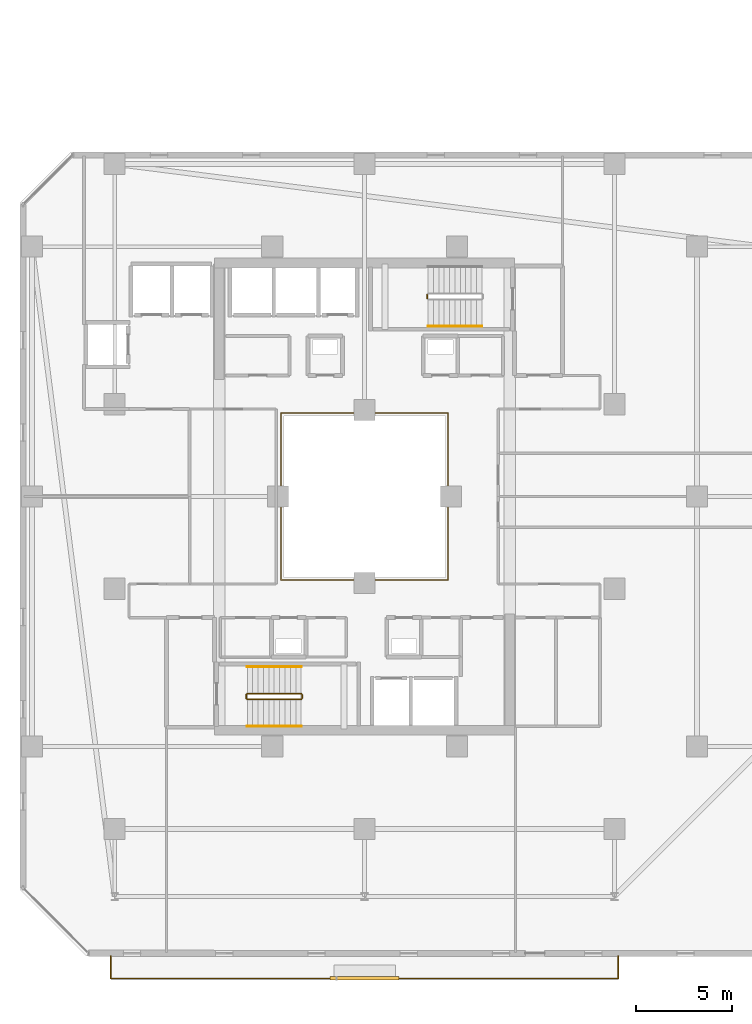
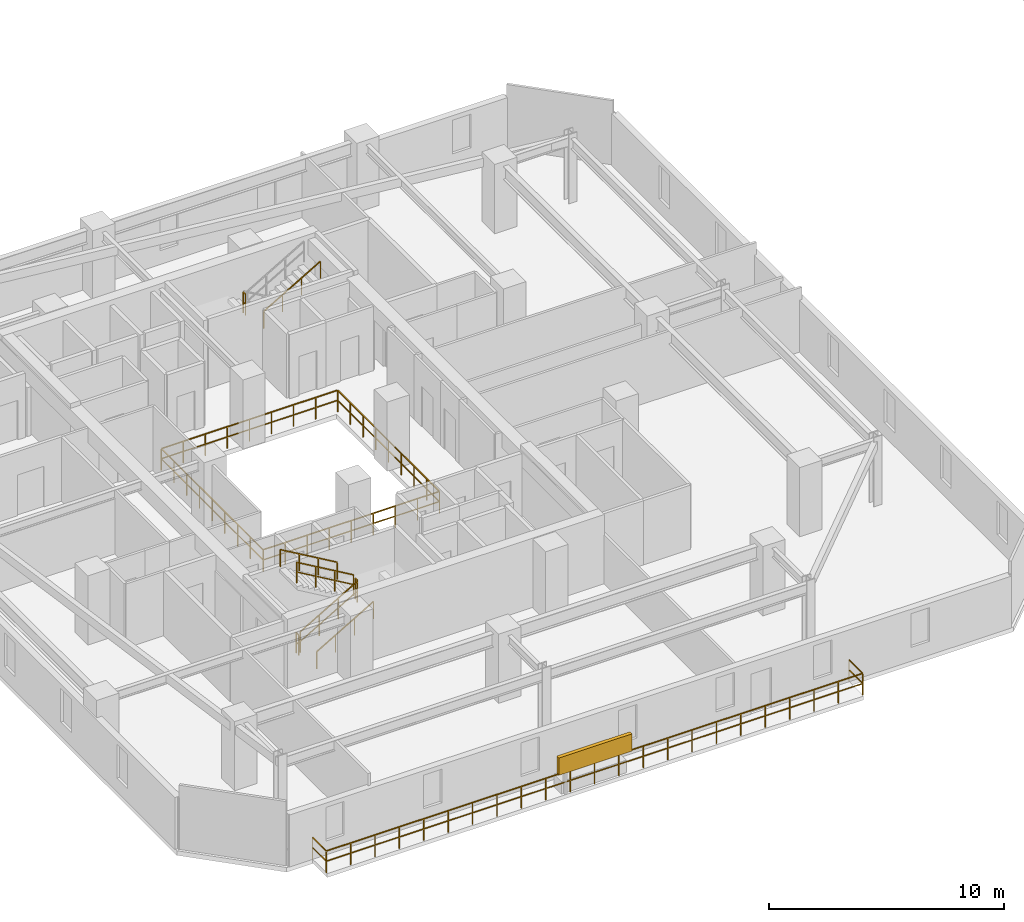
# One storey, part 30 of 33: 10 railings, 1 shading device.
"""IFC4 building model written with IfcOpenShell, lengths in metres."""

from ifc_helpers import new_model, si_unit, direction, frame, origin, origin_2d, place, context, subcontext, project, spatial, rectangle, extrude, material, type_object, element, save


model = new_model("IFC4")

# Units and contexts
model_context = context("Model", 3, precision=1e-05, world=origin(), true_north=direction((0.0, 1.0)))
body_context = subcontext(model_context, "Body", "Model", "MODEL_VIEW")
ifc_project = project(units=[si_unit("LENGTHUNIT", "METRE"), si_unit("AREAUNIT", "SQUARE_METRE"), si_unit("VOLUMEUNIT", "CUBIC_METRE"), si_unit("PLANEANGLEUNIT", "RADIAN"), si_unit("MASSUNIT", "GRAM", prefix="KILO")], contexts=[model_context])

# Site, building, storey
site_placement = place(None, origin())
site = spatial("IfcSite", under=ifc_project, at=site_placement, CompositionType="ELEMENT")
building_placement = place(site_placement, origin())
building = spatial("IfcBuilding", under=site, at=building_placement, Name="Thornwick Lancets Civic Towers", CompositionType="ELEMENT")
storey_placement = place(building_placement, frame((0.0, 0.0, 159.89990234375)))
storey = spatial("IfcBuildingStorey", under=building, at=storey_placement, Name="L42", CompositionType="ELEMENT", Elevation=159.89990234375)

# Railings
ifc_material_1 = material(Name="Laminated glass and bronze steel S355", Category="steel")
railing_type_1 = type_object("IfcRailingType", Name="RAIL_ATRIUM_GUARD", PredefinedType="BALUSTRADE", material=ifc_material_1)
railing_1_placement = place(storey_placement, frame((21.159912109375, 22.659912109375, 0.0)))
element("IfcRailing", 1, at=railing_1_placement, inside=storey, type_object=railing_type_1, Name="L42 Tower A Central Atrium Guard Balustrade", PredefinedType="BALUSTRADE", context=body_context, shape_type="SweptSolid", body=[
    extrude(rectangle(XDim=0.048095703125, YDim=0.048095703125, at=origin_2d()), frame((0.0, 0.0, 1.1259765625), z_axis=(1.0, 0.0, 0.0), x_axis=(0.0, 1.0, 0.0)), (0.0, 0.0, 1.0), 8.64892578125),
    extrude(rectangle(XDim=0.0419921875, YDim=0.0419921875, at=origin_2d()), frame((0.03759765625, 0.0, 0.597900390625), z_axis=(1.0, 0.0, 0.0), x_axis=(0.0, 1.0, 0.0)), (0.0, 0.0, 1.0), 1.010009765625),
    extrude(rectangle(XDim=0.0419921875, YDim=0.0419921875, at=origin_2d()), frame((1.12255859375, 0.0, 0.597900390625), z_axis=(1.0, 0.0, 0.0), x_axis=(0.0, 1.0, 0.0)), (0.0, 0.0, 1.0), 1.010009765625),
    extrude(rectangle(XDim=0.0419921875, YDim=0.0419921875, at=origin_2d()), frame((2.20751953125, 0.0, 0.597900390625), z_axis=(1.0, 0.0, 0.0), x_axis=(0.0, 1.0, 0.0)), (0.0, 0.0, 1.0), 1.010009765625),
    extrude(rectangle(XDim=0.0419921875, YDim=0.0419921875, at=origin_2d()), frame((3.29248046875, 0.0, 0.597900390625), z_axis=(1.0, 0.0, 0.0), x_axis=(0.0, 1.0, 0.0)), (0.0, 0.0, 1.0), 1.010009765625),
    extrude(rectangle(XDim=0.0419921875, YDim=0.0419921875, at=origin_2d()), frame((4.377685546875, 0.0, 0.597900390625), z_axis=(1.0, 0.0, 0.0), x_axis=(0.0, 1.0, 0.0)), (0.0, 0.0, 1.0), 1.010009765625),
    extrude(rectangle(XDim=0.0419921875, YDim=0.0419921875, at=origin_2d()), frame((5.462646484375, 0.0, 0.597900390625), z_axis=(1.0, 0.0, 0.0), x_axis=(0.0, 1.0, 0.0)), (0.0, 0.0, 1.0), 1.010009765625),
    extrude(rectangle(XDim=0.0419921875, YDim=0.0419921875, at=origin_2d()), frame((6.547607421875, 0.0, 0.597900390625), z_axis=(1.0, 0.0, 0.0), x_axis=(0.0, 1.0, 0.0)), (0.0, 0.0, 1.0), 1.010009765625),
    extrude(rectangle(XDim=0.0419921875, YDim=0.0419921875, at=origin_2d()), frame((7.632568359375, 0.0, 0.597900390625), z_axis=(1.0, 0.0, 0.0), x_axis=(0.0, 1.0, 0.0)), (0.0, 0.0, 1.0), 1.010009765625),
    extrude(rectangle(XDim=0.048095703125, YDim=0.048095703125, at=origin_2d()), frame((8.68017578125, 0.03125, 1.1259765625), z_axis=(0.0, 1.0, 0.0), x_axis=(-1.0, 0.0, 0.0)), (0.0, 0.0, 1.0), 8.61767578125),
    extrude(rectangle(XDim=0.0419921875, YDim=0.0419921875, at=origin_2d()), frame((8.68017578125, 0.03759765625, 0.597900390625), z_axis=(0.0, 1.0, 0.0), x_axis=(-1.0, 0.0, 0.0)), (0.0, 0.0, 1.0), 1.010009765625),
    extrude(rectangle(XDim=0.0419921875, YDim=0.0419921875, at=origin_2d()), frame((8.68017578125, 1.12255859375, 0.597900390625), z_axis=(0.0, 1.0, 0.0), x_axis=(-1.0, 0.0, 0.0)), (0.0, 0.0, 1.0), 1.010009765625),
    extrude(rectangle(XDim=0.0419921875, YDim=0.0419921875, at=origin_2d()), frame((8.68017578125, 2.20751953125, 0.597900390625), z_axis=(0.0, 1.0, 0.0), x_axis=(-1.0, 0.0, 0.0)), (0.0, 0.0, 1.0), 1.010009765625),
    extrude(rectangle(XDim=0.0419921875, YDim=0.0419921875, at=origin_2d()), frame((8.68017578125, 3.29248046875, 0.597900390625), z_axis=(0.0, 1.0, 0.0), x_axis=(-1.0, 0.0, 0.0)), (0.0, 0.0, 1.0), 1.010009765625),
    extrude(rectangle(XDim=0.0419921875, YDim=0.0419921875, at=origin_2d()), frame((8.68017578125, 4.377685546875, 0.597900390625), z_axis=(0.0, 1.0, 0.0), x_axis=(-1.0, 0.0, 0.0)), (0.0, 0.0, 1.0), 1.010009765625),
    extrude(rectangle(XDim=0.0419921875, YDim=0.0419921875, at=origin_2d()), frame((8.68017578125, 5.462646484375, 0.597900390625), z_axis=(0.0, 1.0, 0.0), x_axis=(-1.0, 0.0, 0.0)), (0.0, 0.0, 1.0), 1.010009765625),
    extrude(rectangle(XDim=0.0419921875, YDim=0.0419921875, at=origin_2d()), frame((8.68017578125, 6.547607421875, 0.597900390625), z_axis=(0.0, 1.0, 0.0), x_axis=(-1.0, 0.0, 0.0)), (0.0, 0.0, 1.0), 1.010009765625),
    extrude(rectangle(XDim=0.0419921875, YDim=0.0419921875, at=origin_2d()), frame((8.68017578125, 7.632568359375, 0.597900390625), z_axis=(0.0, 1.0, 0.0), x_axis=(-1.0, 0.0, 0.0)), (0.0, 0.0, 1.0), 1.010009765625),
    extrude(rectangle(XDim=0.048095703125, YDim=0.048095703125, at=origin_2d()), frame((8.64892578125, 8.68017578125, 1.1259765625), z_axis=(-1.0, 0.0, 0.0), x_axis=(0.0, -1.0, 0.0)), (0.0, 0.0, 1.0), 8.61767578125),
    extrude(rectangle(XDim=0.0419921875, YDim=0.0419921875, at=origin_2d()), frame((8.642578125, 8.68017578125, 0.597900390625), z_axis=(-1.0, 0.0, 0.0), x_axis=(0.0, -1.0, 0.0)), (0.0, 0.0, 1.0), 1.010009765625),
    extrude(rectangle(XDim=0.0419921875, YDim=0.0419921875, at=origin_2d()), frame((7.5576171875, 8.68017578125, 0.597900390625), z_axis=(-1.0, 0.0, 0.0), x_axis=(0.0, -1.0, 0.0)), (0.0, 0.0, 1.0), 1.010009765625),
    extrude(rectangle(XDim=0.0419921875, YDim=0.0419921875, at=origin_2d()), frame((6.47265625, 8.68017578125, 0.597900390625), z_axis=(-1.0, 0.0, 0.0), x_axis=(0.0, -1.0, 0.0)), (0.0, 0.0, 1.0), 1.010009765625),
    extrude(rectangle(XDim=0.0419921875, YDim=0.0419921875, at=origin_2d()), frame((5.3876953125, 8.68017578125, 0.597900390625), z_axis=(-1.0, 0.0, 0.0), x_axis=(0.0, -1.0, 0.0)), (0.0, 0.0, 1.0), 1.010009765625),
    extrude(rectangle(XDim=0.0419921875, YDim=0.0419921875, at=origin_2d()), frame((4.302490234375, 8.68017578125, 0.597900390625), z_axis=(-1.0, 0.0, 0.0), x_axis=(0.0, -1.0, 0.0)), (0.0, 0.0, 1.0), 1.010009765625),
    extrude(rectangle(XDim=0.0419921875, YDim=0.0419921875, at=origin_2d()), frame((3.217529296875, 8.68017578125, 0.597900390625), z_axis=(-1.0, 0.0, 0.0), x_axis=(0.0, -1.0, 0.0)), (0.0, 0.0, 1.0), 1.010009765625),
    extrude(rectangle(XDim=0.0419921875, YDim=0.0419921875, at=origin_2d()), frame((2.132568359375, 8.68017578125, 0.597900390625), z_axis=(-1.0, 0.0, 0.0), x_axis=(0.0, -1.0, 0.0)), (0.0, 0.0, 1.0), 1.010009765625),
    extrude(rectangle(XDim=0.0419921875, YDim=0.0419921875, at=origin_2d()), frame((1.047607421875, 8.68017578125, 0.597900390625), z_axis=(-1.0, 0.0, 0.0), x_axis=(0.0, -1.0, 0.0)), (0.0, 0.0, 1.0), 1.010009765625),
    extrude(rectangle(XDim=0.048095703125, YDim=0.048095703125, at=origin_2d()), frame((0.0, 8.64892578125, 1.1259765625), z_axis=(0.0, -1.0, 0.0), x_axis=(1.0, 0.0, 0.0)), (0.0, 0.0, 1.0), 8.64892578125),
    extrude(rectangle(XDim=0.0419921875, YDim=0.0419921875, at=origin_2d()), frame((0.0, 8.642578125, 0.597900390625), z_axis=(0.0, -1.0, 0.0), x_axis=(1.0, 0.0, 0.0)), (0.0, 0.0, 1.0), 1.010009765625),
    extrude(rectangle(XDim=0.0419921875, YDim=0.0419921875, at=origin_2d()), frame((0.0, 7.5576171875, 0.597900390625), z_axis=(0.0, -1.0, 0.0), x_axis=(1.0, 0.0, 0.0)), (0.0, 0.0, 1.0), 1.010009765625),
    extrude(rectangle(XDim=0.0419921875, YDim=0.0419921875, at=origin_2d()), frame((0.0, 6.47265625, 0.597900390625), z_axis=(0.0, -1.0, 0.0), x_axis=(1.0, 0.0, 0.0)), (0.0, 0.0, 1.0), 1.010009765625),
    extrude(rectangle(XDim=0.0419921875, YDim=0.0419921875, at=origin_2d()), frame((0.0, 5.3876953125, 0.597900390625), z_axis=(0.0, -1.0, 0.0), x_axis=(1.0, 0.0, 0.0)), (0.0, 0.0, 1.0), 1.010009765625),
    extrude(rectangle(XDim=0.0419921875, YDim=0.0419921875, at=origin_2d()), frame((0.0, 4.302490234375, 0.597900390625), z_axis=(0.0, -1.0, 0.0), x_axis=(1.0, 0.0, 0.0)), (0.0, 0.0, 1.0), 1.010009765625),
    extrude(rectangle(XDim=0.0419921875, YDim=0.0419921875, at=origin_2d()), frame((0.0, 3.217529296875, 0.597900390625), z_axis=(0.0, -1.0, 0.0), x_axis=(1.0, 0.0, 0.0)), (0.0, 0.0, 1.0), 1.010009765625),
    extrude(rectangle(XDim=0.0419921875, YDim=0.0419921875, at=origin_2d()), frame((0.0, 2.132568359375, 0.597900390625), z_axis=(0.0, -1.0, 0.0), x_axis=(1.0, 0.0, 0.0)), (0.0, 0.0, 1.0), 1.010009765625),
    extrude(rectangle(XDim=0.0419921875, YDim=0.0419921875, at=origin_2d()), frame((0.0, 1.047607421875, 0.597900390625), z_axis=(0.0, -1.0, 0.0), x_axis=(1.0, 0.0, 0.0)), (0.0, 0.0, 1.0), 1.010009765625),
    extrude(rectangle(XDim=0.0419921875, YDim=0.0419921875, at=origin_2d()), origin(), (0.0, 0.0, 1.0), 1.095703125),
    extrude(rectangle(XDim=0.0419921875, YDim=0.0419921875, at=origin_2d()), frame((1.0849609375, 0.0, 0.0)), (0.0, 0.0, 1.0), 1.095703125),
    extrude(rectangle(XDim=0.0419921875, YDim=0.0419921875, at=origin_2d()), frame((2.169921875, 0.0, 0.0)), (0.0, 0.0, 1.0), 1.095703125),
    extrude(rectangle(XDim=0.0419921875, YDim=0.0419921875, at=origin_2d()), frame((3.255126953125, 0.0, 0.0)), (0.0, 0.0, 1.0), 1.095703125),
    extrude(rectangle(XDim=0.0419921875, YDim=0.0419921875, at=origin_2d()), frame((4.340087890625, 0.0, 0.0)), (0.0, 0.0, 1.0), 1.095703125),
    extrude(rectangle(XDim=0.0419921875, YDim=0.0419921875, at=origin_2d()), frame((5.425048828125, 0.0, 0.0)), (0.0, 0.0, 1.0), 1.095703125),
    extrude(rectangle(XDim=0.0419921875, YDim=0.0419921875, at=origin_2d()), frame((6.51025390625, 0.0, 0.0)), (0.0, 0.0, 1.0), 1.095703125),
    extrude(rectangle(XDim=0.0419921875, YDim=0.0419921875, at=origin_2d()), frame((7.59521484375, 0.0, 0.0)), (0.0, 0.0, 1.0), 1.095703125),
    extrude(rectangle(XDim=0.0419921875, YDim=0.0419921875, at=origin_2d()), frame((8.68017578125, 0.0, 0.0)), (0.0, 0.0, 1.0), 1.095703125),
    extrude(rectangle(XDim=0.0419921875, YDim=0.0419921875, at=origin_2d()), frame((8.68017578125, 1.0849609375, 0.0)), (0.0, 0.0, 1.0), 1.095703125),
    extrude(rectangle(XDim=0.0419921875, YDim=0.0419921875, at=origin_2d()), frame((8.68017578125, 2.169921875, 0.0)), (0.0, 0.0, 1.0), 1.095703125),
    extrude(rectangle(XDim=0.0419921875, YDim=0.0419921875, at=origin_2d()), frame((8.68017578125, 3.255126953125, 0.0)), (0.0, 0.0, 1.0), 1.095703125),
    extrude(rectangle(XDim=0.0419921875, YDim=0.0419921875, at=origin_2d()), frame((8.68017578125, 4.340087890625, 0.0)), (0.0, 0.0, 1.0), 1.095703125),
    extrude(rectangle(XDim=0.0419921875, YDim=0.0419921875, at=origin_2d()), frame((8.68017578125, 5.425048828125, 0.0)), (0.0, 0.0, 1.0), 1.095703125),
    extrude(rectangle(XDim=0.0419921875, YDim=0.0419921875, at=origin_2d()), frame((8.68017578125, 6.51025390625, 0.0)), (0.0, 0.0, 1.0), 1.095703125),
    extrude(rectangle(XDim=0.0419921875, YDim=0.0419921875, at=origin_2d()), frame((8.68017578125, 7.59521484375, 0.0)), (0.0, 0.0, 1.0), 1.095703125),
    extrude(rectangle(XDim=0.0419921875, YDim=0.0419921875, at=origin_2d()), frame((8.68017578125, 8.68017578125, 0.0)), (0.0, 0.0, 1.0), 1.095703125),
    extrude(rectangle(XDim=0.0419921875, YDim=0.0419921875, at=origin_2d()), frame((7.59521484375, 8.68017578125, 0.0)), (0.0, 0.0, 1.0), 1.095703125),
    extrude(rectangle(XDim=0.0419921875, YDim=0.0419921875, at=origin_2d()), frame((6.51025390625, 8.68017578125, 0.0)), (0.0, 0.0, 1.0), 1.095703125),
    extrude(rectangle(XDim=0.0419921875, YDim=0.0419921875, at=origin_2d()), frame((5.425048828125, 8.68017578125, 0.0)), (0.0, 0.0, 1.0), 1.095703125),
    extrude(rectangle(XDim=0.0419921875, YDim=0.0419921875, at=origin_2d()), frame((4.340087890625, 8.68017578125, 0.0)), (0.0, 0.0, 1.0), 1.095703125),
    extrude(rectangle(XDim=0.0419921875, YDim=0.0419921875, at=origin_2d()), frame((3.255126953125, 8.68017578125, 0.0)), (0.0, 0.0, 1.0), 1.095703125),
    extrude(rectangle(XDim=0.0419921875, YDim=0.0419921875, at=origin_2d()), frame((2.169921875, 8.68017578125, 0.0)), (0.0, 0.0, 1.0), 1.095703125),
    extrude(rectangle(XDim=0.0419921875, YDim=0.0419921875, at=origin_2d()), frame((1.0849609375, 8.68017578125, 0.0)), (0.0, 0.0, 1.0), 1.095703125),
    extrude(rectangle(XDim=0.0419921875, YDim=0.0419921875, at=origin_2d()), frame((0.0, 8.68017578125, 0.0)), (0.0, 0.0, 1.0), 1.095703125),
    extrude(rectangle(XDim=0.0419921875, YDim=0.0419921875, at=origin_2d()), frame((0.0, 7.59521484375, 0.0)), (0.0, 0.0, 1.0), 1.095703125),
    extrude(rectangle(XDim=0.0419921875, YDim=0.0419921875, at=origin_2d()), frame((0.0, 6.51025390625, 0.0)), (0.0, 0.0, 1.0), 1.095703125),
    extrude(rectangle(XDim=0.0419921875, YDim=0.0419921875, at=origin_2d()), frame((0.0, 5.425048828125, 0.0)), (0.0, 0.0, 1.0), 1.095703125),
    extrude(rectangle(XDim=0.0419921875, YDim=0.0419921875, at=origin_2d()), frame((0.0, 4.340087890625, 0.0)), (0.0, 0.0, 1.0), 1.095703125),
    extrude(rectangle(XDim=0.0419921875, YDim=0.0419921875, at=origin_2d()), frame((0.0, 3.255126953125, 0.0)), (0.0, 0.0, 1.0), 1.095703125),
    extrude(rectangle(XDim=0.0419921875, YDim=0.0419921875, at=origin_2d()), frame((0.0, 2.169921875, 0.0)), (0.0, 0.0, 1.0), 1.095703125),
    extrude(rectangle(XDim=0.0419921875, YDim=0.0419921875, at=origin_2d()), frame((0.0, 1.0849609375, 0.0)), (0.0, 0.0, 1.0), 1.095703125),
])
ifc_material_2 = material(Name="Brushed stainless steel S355", Category="steel")
railing_type_2 = type_object("IfcRailingType", Name="RAIL_HANDRAIL", PredefinedType="HANDRAIL", material=ifc_material_2)
railing_2_placement = place(storey_placement, frame((19.39990234375, 15.050048828125, 0.163818359375)))
element("IfcRailing", 2, at=railing_2_placement, inside=storey, type_object=railing_type_2, Name="L42 ST-A1 stair handrail 1", PredefinedType="HANDRAIL", context=body_context, shape_type="SweptSolid", body=[
    extrude(rectangle(XDim=0.048095703125, YDim=0.048095703125, at=origin_2d()), frame((0.0, 0.0, 0.8857421875), z_axis=(0.863393664356, 0.0, 0.504530851732), x_axis=(0.0, 1.0, 0.0)), (0.0, 0.0, 1.0), 3.2431640625),
    extrude(rectangle(XDim=0.0419921875, YDim=0.0419921875, at=origin_2d()), origin(), (0.0, 0.0, 1.0), 0.855712890625),
    extrude(rectangle(XDim=0.0419921875, YDim=0.0419921875, at=origin_2d()), frame((0.933349609375, 0.0, 0.54541015625)), (0.0, 0.0, 1.0), 0.855712890625),
    extrude(rectangle(XDim=0.0419921875, YDim=0.0419921875, at=origin_2d()), frame((1.86669921875, 0.0, 1.0908203125)), (0.0, 0.0, 1.0), 0.855712890625),
    extrude(rectangle(XDim=0.0419921875, YDim=0.0419921875, at=origin_2d()), frame((2.800048828125, 0.0, 1.63623046875)), (0.0, 0.0, 1.0), 0.855712890625),
])
railing_3_placement = place(storey_placement, frame((22.199951171875, 18.14990234375, 1.963623046875)))
element("IfcRailing", 3, at=railing_3_placement, inside=storey, type_object=railing_type_2, Name="L42 ST-A1 stair handrail 2", PredefinedType="HANDRAIL", context=body_context, shape_type="SweptSolid", body=[
    extrude(rectangle(XDim=0.048095703125, YDim=0.048095703125, at=origin_2d()), frame((0.0, 0.0, 0.8857421875), z_axis=(-0.863360870873, 0.0, 0.504586966384), x_axis=(0.0, -1.0, 0.0)), (0.0, 0.0, 1.0), 3.2431640625),
    extrude(rectangle(XDim=0.0419921875, YDim=0.0419921875, at=origin_2d()), origin(), (0.0, 0.0, 1.0), 0.855712890625),
    extrude(rectangle(XDim=0.0419921875, YDim=0.0419921875, at=origin_2d()), frame((-0.933349609375, 0.0, 0.54541015625)), (0.0, 0.0, 1.0), 0.855712890625),
    extrude(rectangle(XDim=0.0419921875, YDim=0.0419921875, at=origin_2d()), frame((-1.86669921875, 0.0, 1.091064453125)), (0.0, 0.0, 1.0), 0.855712890625),
    extrude(rectangle(XDim=0.0419921875, YDim=0.0419921875, at=origin_2d()), frame((-2.800048828125, 0.0, 1.636474609375)), (0.0, 0.0, 1.0), 0.855712890625),
])
railing_4_placement = place(storey_placement, frame((28.800048828125, 35.85009765625, 1.963623046875)))
element("IfcRailing", 4, at=railing_4_placement, inside=storey, type_object=railing_type_2, Name="L42 ST-A2 stair handrail 2", PredefinedType="HANDRAIL", context=body_context, shape_type="SweptSolid", body=[
    extrude(rectangle(XDim=0.048095703125, YDim=0.048095703125, at=origin_2d()), frame((0.0, 0.0, 0.8857421875), z_axis=(0.863360870873, 0.0, 0.504586966384), x_axis=(0.0, 1.0, 0.0)), (0.0, 0.0, 1.0), 3.2431640625),
    extrude(rectangle(XDim=0.0419921875, YDim=0.0419921875, at=origin_2d()), origin(), (0.0, 0.0, 1.0), 0.855712890625),
    extrude(rectangle(XDim=0.0419921875, YDim=0.0419921875, at=origin_2d()), frame((0.933349609375, 0.0, 0.54541015625)), (0.0, 0.0, 1.0), 0.855712890625),
    extrude(rectangle(XDim=0.0419921875, YDim=0.0419921875, at=origin_2d()), frame((1.86669921875, 0.0, 1.091064453125)), (0.0, 0.0, 1.0), 0.855712890625),
    extrude(rectangle(XDim=0.0419921875, YDim=0.0419921875, at=origin_2d()), frame((2.800048828125, 0.0, 1.636474609375)), (0.0, 0.0, 1.0), 0.855712890625),
])
ifc_material_3 = material(Name="Steel S355JR", Category="steel")
railing_type_3 = type_object("IfcRailingType", Name="RAIL_STAIR_GUARD", PredefinedType="GUARDRAIL", material=ifc_material_3)
railing_5_placement = place(storey_placement, frame((19.39990234375, 16.449951171875, 0.163818359375)))
element("IfcRailing", 5, at=railing_5_placement, inside=storey, type_object=railing_type_3, Name="L42 ST-A1 stair guard 1", PredefinedType="GUARDRAIL", context=body_context, shape_type="SweptSolid", body=[
    extrude(rectangle(XDim=0.048095703125, YDim=0.048095703125, at=origin_2d()), frame((0.0, 0.0, 1.076171875), z_axis=(0.863393664356, 0.0, 0.504530851732), x_axis=(0.0, 1.0, 0.0)), (0.0, 0.0, 1.0), 3.2431640625),
    extrude(rectangle(XDim=0.0419921875, YDim=0.0419921875, at=origin_2d()), frame((0.032470703125, 0.0, 0.591064453125), z_axis=(0.863393664356, 0.0, 0.504530851732), x_axis=(0.0, 1.0, 0.0)), (0.0, 0.0, 1.0), 1.006103515625),
    extrude(rectangle(XDim=0.0419921875, YDim=0.0419921875, at=origin_2d()), frame((0.9658203125, 0.0, 1.136474609375), z_axis=(0.863393664356, 0.0, 0.504530851732), x_axis=(0.0, 1.0, 0.0)), (0.0, 0.0, 1.0), 1.006103515625),
    extrude(rectangle(XDim=0.0419921875, YDim=0.0419921875, at=origin_2d()), frame((1.899169921875, 0.0, 1.681884765625), z_axis=(0.863393664356, 0.0, 0.504530851732), x_axis=(0.0, 1.0, 0.0)), (0.0, 0.0, 1.0), 1.006103515625),
    extrude(rectangle(XDim=0.0419921875, YDim=0.0419921875, at=origin_2d()), origin(), (0.0, 0.0, 1.0), 1.0458984375),
    extrude(rectangle(XDim=0.0419921875, YDim=0.0419921875, at=origin_2d()), frame((0.933349609375, 0.0, 0.54541015625)), (0.0, 0.0, 1.0), 1.0458984375),
    extrude(rectangle(XDim=0.0419921875, YDim=0.0419921875, at=origin_2d()), frame((1.86669921875, 0.0, 1.0908203125)), (0.0, 0.0, 1.0), 1.0458984375),
    extrude(rectangle(XDim=0.0419921875, YDim=0.0419921875, at=origin_2d()), frame((2.800048828125, 0.0, 1.63623046875)), (0.0, 0.0, 1.0), 1.0458984375),
])
railing_6_placement = place(storey_placement, frame((22.25, 16.5, 1.800048828125)))
element("IfcRailing", 6, at=railing_6_placement, inside=storey, type_object=railing_type_3, Name="L42 ST-A1 stair guard 2", PredefinedType="GUARDRAIL", context=body_context, shape_type="SweptSolid", body=[
    extrude(rectangle(XDim=0.048095703125, YDim=0.048095703125, at=origin_2d()), frame((0.0, 0.0, 1.076171875), z_axis=(0.0, 1.0, 0.0), x_axis=(-1.0, 0.0, 0.0)), (0.0, 0.0, 1.0), 0.199951171875),
    extrude(rectangle(XDim=0.0419921875, YDim=0.0419921875, at=origin_2d()), frame((0.0, 0.03759765625, 0.572021484375), z_axis=(0.0, 1.0, 0.0), x_axis=(-1.0, 0.0, 0.0)), (0.0, 0.0, 1.0), 0.125),
    extrude(rectangle(XDim=0.0419921875, YDim=0.0419921875, at=origin_2d()), origin(), (0.0, 0.0, 1.0), 1.0458984375),
    extrude(rectangle(XDim=0.0419921875, YDim=0.0419921875, at=origin_2d()), frame((0.0, 0.199951171875, 0.0)), (0.0, 0.0, 1.0), 1.0458984375),
])
railing_7_placement = place(storey_placement, frame((22.199951171875, 16.75, 1.963623046875)))
element("IfcRailing", 7, at=railing_7_placement, inside=storey, type_object=railing_type_3, Name="L42 ST-A1 stair guard 3", PredefinedType="GUARDRAIL", context=body_context, shape_type="SweptSolid", body=[
    extrude(rectangle(XDim=0.048095703125, YDim=0.048095703125, at=origin_2d()), frame((0.0, 0.0, 1.076171875), z_axis=(-0.863360870873, 0.0, 0.504586966384), x_axis=(0.0, -1.0, 0.0)), (0.0, 0.0, 1.0), 3.2431640625),
    extrude(rectangle(XDim=0.0419921875, YDim=0.0419921875, at=origin_2d()), frame((-0.032470703125, 0.0, 0.591064453125), z_axis=(-0.863360870873, 0.0, 0.504586966384), x_axis=(0.0, -1.0, 0.0)), (0.0, 0.0, 1.0), 1.006103515625),
    extrude(rectangle(XDim=0.0419921875, YDim=0.0419921875, at=origin_2d()), frame((-0.9658203125, 0.0, 1.136474609375), z_axis=(-0.863360870873, 0.0, 0.504586966384), x_axis=(0.0, -1.0, 0.0)), (0.0, 0.0, 1.0), 1.006103515625),
    extrude(rectangle(XDim=0.0419921875, YDim=0.0419921875, at=origin_2d()), frame((-1.899169921875, 0.0, 1.681884765625), z_axis=(-0.863360870873, 0.0, 0.504586966384), x_axis=(0.0, -1.0, 0.0)), (0.0, 0.0, 1.0), 1.006103515625),
    extrude(rectangle(XDim=0.0419921875, YDim=0.0419921875, at=origin_2d()), origin(), (0.0, 0.0, 1.0), 1.0458984375),
    extrude(rectangle(XDim=0.0419921875, YDim=0.0419921875, at=origin_2d()), frame((-0.933349609375, 0.0, 0.54541015625)), (0.0, 0.0, 1.0), 1.0458984375),
    extrude(rectangle(XDim=0.0419921875, YDim=0.0419921875, at=origin_2d()), frame((-1.86669921875, 0.0, 1.091064453125)), (0.0, 0.0, 1.0), 1.0458984375),
    extrude(rectangle(XDim=0.0419921875, YDim=0.0419921875, at=origin_2d()), frame((-2.800048828125, 0.0, 1.636474609375)), (0.0, 0.0, 1.0), 1.0458984375),
])
railing_8_placement = place(storey_placement, frame((19.35009765625, 16.5, 0.0)))
element("IfcRailing", 8, at=railing_8_placement, inside=storey, type_object=railing_type_3, Name="L42 ST-A1 stair guard 4", PredefinedType="GUARDRAIL", context=body_context, shape_type="SweptSolid", body=[
    extrude(rectangle(XDim=0.048095703125, YDim=0.048095703125, at=origin_2d()), frame((0.0, 0.0, 1.076171875), z_axis=(0.0, 1.0, 0.0), x_axis=(-1.0, 0.0, 0.0)), (0.0, 0.0, 1.0), 0.199951171875),
    extrude(rectangle(XDim=0.0419921875, YDim=0.0419921875, at=origin_2d()), frame((0.0, 0.03759765625, 0.572021484375), z_axis=(0.0, 1.0, 0.0), x_axis=(-1.0, 0.0, 0.0)), (0.0, 0.0, 1.0), 0.125),
    extrude(rectangle(XDim=0.0419921875, YDim=0.0419921875, at=origin_2d()), origin(), (0.0, 0.0, 1.0), 1.0458984375),
    extrude(rectangle(XDim=0.0419921875, YDim=0.0419921875, at=origin_2d()), frame((0.0, 0.199951171875, 0.0)), (0.0, 0.0, 1.0), 1.0458984375),
])
railing_9_placement = place(storey_placement, frame((28.75, 37.5, 1.800048828125)))
element("IfcRailing", 9, at=railing_9_placement, inside=storey, type_object=railing_type_3, Name="L42 ST-A2 stair guard 2", PredefinedType="GUARDRAIL", context=body_context, shape_type="SweptSolid", body=[
    extrude(rectangle(XDim=0.048095703125, YDim=0.048095703125, at=origin_2d()), frame((0.0, 0.0, 1.076171875), z_axis=(0.0, -1.0, 0.0), x_axis=(1.0, 0.0, 0.0)), (0.0, 0.0, 1.0), 0.199951171875),
    extrude(rectangle(XDim=0.0419921875, YDim=0.0419921875, at=origin_2d()), frame((0.0, -0.03759765625, 0.572021484375), z_axis=(0.0, -1.0, 0.0), x_axis=(1.0, 0.0, 0.0)), (0.0, 0.0, 1.0), 0.125),
    extrude(rectangle(XDim=0.0419921875, YDim=0.0419921875, at=origin_2d()), origin(), (0.0, 0.0, 1.0), 1.0458984375),
    extrude(rectangle(XDim=0.0419921875, YDim=0.0419921875, at=origin_2d()), frame((0.0, -0.199951171875, 0.0)), (0.0, 0.0, 1.0), 1.0458984375),
])
ifc_material_4 = material(Name="Terracotta-capped laminated glass balustrade S355", Category="masonry")
railing_type_4 = type_object("IfcRailingType", Name="RAIL_TERR_GUARD", PredefinedType="GUARDRAIL", material=ifc_material_4)
railing_10_placement = place(storey_placement, frame((12.300048828125, 3.10009765625, 0.0)))
element("IfcRailing", 10, at=railing_10_placement, inside=storey, type_object=railing_type_4, Name="L42 Tower A Balcony Guard S", PredefinedType="GUARDRAIL", context=body_context, shape_type="SweptSolid", body=[
    extrude(rectangle(XDim=0.048095703125, YDim=0.048095703125, at=origin_2d()), frame((0.0, 0.0, 1.1259765625), z_axis=(0.0, -1.0, 0.0), x_axis=(1.0, 0.0, 0.0)), (0.0, 0.0, 1.0), 1.138916015625),
    extrude(rectangle(XDim=0.0419921875, YDim=0.0419921875, at=origin_2d()), frame((0.0, -0.03759765625, 0.597900390625), z_axis=(0.0, -1.0, 0.0), x_axis=(1.0, 0.0, 0.0)), (0.0, 0.0, 1.0), 1.09521484375),
    extrude(rectangle(XDim=0.048095703125, YDim=0.048095703125, at=origin_2d()), frame((0.03125, -1.170166015625, 1.1259765625), z_axis=(1.0, 0.0, 0.0), x_axis=(0.0, 1.0, 0.0)), (0.0, 0.0, 1.0), 26.33740234375),
    extrude(rectangle(XDim=0.0419921875, YDim=0.0419921875, at=origin_2d()), frame((0.03759765625, -1.170166015625, 0.597900390625), z_axis=(1.0, 0.0, 0.0), x_axis=(0.0, 1.0, 0.0)), (0.0, 0.0, 1.0), 1.125),
    extrude(rectangle(XDim=0.0419921875, YDim=0.0419921875, at=origin_2d()), frame((1.237548828125, -1.170166015625, 0.597900390625), z_axis=(1.0, 0.0, 0.0), x_axis=(0.0, 1.0, 0.0)), (0.0, 0.0, 1.0), 1.125),
    extrude(rectangle(XDim=0.0419921875, YDim=0.0419921875, at=origin_2d()), frame((2.4375, -1.170166015625, 0.597900390625), z_axis=(1.0, 0.0, 0.0), x_axis=(0.0, 1.0, 0.0)), (0.0, 0.0, 1.0), 1.125),
    extrude(rectangle(XDim=0.0419921875, YDim=0.0419921875, at=origin_2d()), frame((3.637451171875, -1.170166015625, 0.597900390625), z_axis=(1.0, 0.0, 0.0), x_axis=(0.0, 1.0, 0.0)), (0.0, 0.0, 1.0), 1.125),
    extrude(rectangle(XDim=0.0419921875, YDim=0.0419921875, at=origin_2d()), frame((4.83740234375, -1.170166015625, 0.597900390625), z_axis=(1.0, 0.0, 0.0), x_axis=(0.0, 1.0, 0.0)), (0.0, 0.0, 1.0), 1.125),
    extrude(rectangle(XDim=0.0419921875, YDim=0.0419921875, at=origin_2d()), frame((6.037353515625, -1.170166015625, 0.597900390625), z_axis=(1.0, 0.0, 0.0), x_axis=(0.0, 1.0, 0.0)), (0.0, 0.0, 1.0), 1.125),
    extrude(rectangle(XDim=0.0419921875, YDim=0.0419921875, at=origin_2d()), frame((7.237548828125, -1.170166015625, 0.597900390625), z_axis=(1.0, 0.0, 0.0), x_axis=(0.0, 1.0, 0.0)), (0.0, 0.0, 1.0), 1.125),
    extrude(rectangle(XDim=0.0419921875, YDim=0.0419921875, at=origin_2d()), frame((8.4375, -1.170166015625, 0.597900390625), z_axis=(1.0, 0.0, 0.0), x_axis=(0.0, 1.0, 0.0)), (0.0, 0.0, 1.0), 1.125),
    extrude(rectangle(XDim=0.0419921875, YDim=0.0419921875, at=origin_2d()), frame((9.637451171875, -1.170166015625, 0.597900390625), z_axis=(1.0, 0.0, 0.0), x_axis=(0.0, 1.0, 0.0)), (0.0, 0.0, 1.0), 1.125),
    extrude(rectangle(XDim=0.0419921875, YDim=0.0419921875, at=origin_2d()), frame((10.83740234375, -1.170166015625, 0.597900390625), z_axis=(1.0, 0.0, 0.0), x_axis=(0.0, 1.0, 0.0)), (0.0, 0.0, 1.0), 1.125),
    extrude(rectangle(XDim=0.0419921875, YDim=0.0419921875, at=origin_2d()), frame((12.037353515625, -1.170166015625, 0.597900390625), z_axis=(1.0, 0.0, 0.0), x_axis=(0.0, 1.0, 0.0)), (0.0, 0.0, 1.0), 1.125),
    extrude(rectangle(XDim=0.0419921875, YDim=0.0419921875, at=origin_2d()), frame((13.237548828125, -1.170166015625, 0.597900390625), z_axis=(1.0, 0.0, 0.0), x_axis=(0.0, 1.0, 0.0)), (0.0, 0.0, 1.0), 1.125),
    extrude(rectangle(XDim=0.0419921875, YDim=0.0419921875, at=origin_2d()), frame((14.4375, -1.170166015625, 0.597900390625), z_axis=(1.0, 0.0, 0.0), x_axis=(0.0, 1.0, 0.0)), (0.0, 0.0, 1.0), 1.125),
    extrude(rectangle(XDim=0.0419921875, YDim=0.0419921875, at=origin_2d()), frame((15.637451171875, -1.170166015625, 0.597900390625), z_axis=(1.0, 0.0, 0.0), x_axis=(0.0, 1.0, 0.0)), (0.0, 0.0, 1.0), 1.125),
    extrude(rectangle(XDim=0.0419921875, YDim=0.0419921875, at=origin_2d()), frame((16.83740234375, -1.170166015625, 0.597900390625), z_axis=(1.0, 0.0, 0.0), x_axis=(0.0, 1.0, 0.0)), (0.0, 0.0, 1.0), 1.125),
    extrude(rectangle(XDim=0.0419921875, YDim=0.0419921875, at=origin_2d()), frame((18.037353515625, -1.170166015625, 0.597900390625), z_axis=(1.0, 0.0, 0.0), x_axis=(0.0, 1.0, 0.0)), (0.0, 0.0, 1.0), 1.125),
    extrude(rectangle(XDim=0.0419921875, YDim=0.0419921875, at=origin_2d()), frame((19.2373046875, -1.170166015625, 0.597900390625), z_axis=(1.0, 0.0, 0.0), x_axis=(0.0, 1.0, 0.0)), (0.0, 0.0, 1.0), 1.125),
    extrude(rectangle(XDim=0.0419921875, YDim=0.0419921875, at=origin_2d()), frame((20.4375, -1.170166015625, 0.597900390625), z_axis=(1.0, 0.0, 0.0), x_axis=(0.0, 1.0, 0.0)), (0.0, 0.0, 1.0), 1.125),
    extrude(rectangle(XDim=0.0419921875, YDim=0.0419921875, at=origin_2d()), frame((21.637451171875, -1.170166015625, 0.597900390625), z_axis=(1.0, 0.0, 0.0), x_axis=(0.0, 1.0, 0.0)), (0.0, 0.0, 1.0), 1.125),
    extrude(rectangle(XDim=0.0419921875, YDim=0.0419921875, at=origin_2d()), frame((22.83740234375, -1.170166015625, 0.597900390625), z_axis=(1.0, 0.0, 0.0), x_axis=(0.0, 1.0, 0.0)), (0.0, 0.0, 1.0), 1.125),
    extrude(rectangle(XDim=0.0419921875, YDim=0.0419921875, at=origin_2d()), frame((24.037353515625, -1.170166015625, 0.597900390625), z_axis=(1.0, 0.0, 0.0), x_axis=(0.0, 1.0, 0.0)), (0.0, 0.0, 1.0), 1.125),
    extrude(rectangle(XDim=0.0419921875, YDim=0.0419921875, at=origin_2d()), frame((25.2373046875, -1.170166015625, 0.597900390625), z_axis=(1.0, 0.0, 0.0), x_axis=(0.0, 1.0, 0.0)), (0.0, 0.0, 1.0), 1.125),
    extrude(rectangle(XDim=0.048095703125, YDim=0.048095703125, at=origin_2d()), frame((26.39990234375, -1.138916015625, 1.1259765625), z_axis=(0.0, 1.0, 0.0), x_axis=(-1.0, 0.0, 0.0)), (0.0, 0.0, 1.0), 1.138916015625),
    extrude(rectangle(XDim=0.0419921875, YDim=0.0419921875, at=origin_2d()), frame((26.39990234375, -1.132568359375, 0.597900390625), z_axis=(0.0, 1.0, 0.0), x_axis=(-1.0, 0.0, 0.0)), (0.0, 0.0, 1.0), 1.09521484375),
    extrude(rectangle(XDim=0.0419921875, YDim=0.0419921875, at=origin_2d()), origin(), (0.0, 0.0, 1.0), 1.095703125),
    extrude(rectangle(XDim=0.0419921875, YDim=0.0419921875, at=origin_2d()), frame((0.0, -1.170166015625, 0.0)), (0.0, 0.0, 1.0), 1.095703125),
    extrude(rectangle(XDim=0.0419921875, YDim=0.0419921875, at=origin_2d()), frame((1.199951171875, -1.170166015625, 0.0)), (0.0, 0.0, 1.0), 1.095703125),
    extrude(rectangle(XDim=0.0419921875, YDim=0.0419921875, at=origin_2d()), frame((2.39990234375, -1.170166015625, 0.0)), (0.0, 0.0, 1.0), 1.095703125),
    extrude(rectangle(XDim=0.0419921875, YDim=0.0419921875, at=origin_2d()), frame((3.60009765625, -1.170166015625, 0.0)), (0.0, 0.0, 1.0), 1.095703125),
    extrude(rectangle(XDim=0.0419921875, YDim=0.0419921875, at=origin_2d()), frame((4.800048828125, -1.170166015625, 0.0)), (0.0, 0.0, 1.0), 1.095703125),
    extrude(rectangle(XDim=0.0419921875, YDim=0.0419921875, at=origin_2d()), frame((6.0, -1.170166015625, 0.0)), (0.0, 0.0, 1.0), 1.095703125),
    extrude(rectangle(XDim=0.0419921875, YDim=0.0419921875, at=origin_2d()), frame((7.199951171875, -1.170166015625, 0.0)), (0.0, 0.0, 1.0), 1.095703125),
    extrude(rectangle(XDim=0.0419921875, YDim=0.0419921875, at=origin_2d()), frame((8.39990234375, -1.170166015625, 0.0)), (0.0, 0.0, 1.0), 1.095703125),
    extrude(rectangle(XDim=0.0419921875, YDim=0.0419921875, at=origin_2d()), frame((9.599853515625, -1.170166015625, 0.0)), (0.0, 0.0, 1.0), 1.095703125),
    extrude(rectangle(XDim=0.0419921875, YDim=0.0419921875, at=origin_2d()), frame((10.800048828125, -1.170166015625, 0.0)), (0.0, 0.0, 1.0), 1.095703125),
    extrude(rectangle(XDim=0.0419921875, YDim=0.0419921875, at=origin_2d()), frame((12.0, -1.170166015625, 0.0)), (0.0, 0.0, 1.0), 1.095703125),
    extrude(rectangle(XDim=0.0419921875, YDim=0.0419921875, at=origin_2d()), frame((13.199951171875, -1.170166015625, 0.0)), (0.0, 0.0, 1.0), 1.095703125),
    extrude(rectangle(XDim=0.0419921875, YDim=0.0419921875, at=origin_2d()), frame((14.39990234375, -1.170166015625, 0.0)), (0.0, 0.0, 1.0), 1.095703125),
    extrude(rectangle(XDim=0.0419921875, YDim=0.0419921875, at=origin_2d()), frame((15.599853515625, -1.170166015625, 0.0)), (0.0, 0.0, 1.0), 1.095703125),
    extrude(rectangle(XDim=0.0419921875, YDim=0.0419921875, at=origin_2d()), frame((16.800048828125, -1.170166015625, 0.0)), (0.0, 0.0, 1.0), 1.095703125),
    extrude(rectangle(XDim=0.0419921875, YDim=0.0419921875, at=origin_2d()), frame((18.0, -1.170166015625, 0.0)), (0.0, 0.0, 1.0), 1.095703125),
    extrude(rectangle(XDim=0.0419921875, YDim=0.0419921875, at=origin_2d()), frame((19.199951171875, -1.170166015625, 0.0)), (0.0, 0.0, 1.0), 1.095703125),
    extrude(rectangle(XDim=0.0419921875, YDim=0.0419921875, at=origin_2d()), frame((20.39990234375, -1.170166015625, 0.0)), (0.0, 0.0, 1.0), 1.095703125),
    extrude(rectangle(XDim=0.0419921875, YDim=0.0419921875, at=origin_2d()), frame((21.599853515625, -1.170166015625, 0.0)), (0.0, 0.0, 1.0), 1.095703125),
    extrude(rectangle(XDim=0.0419921875, YDim=0.0419921875, at=origin_2d()), frame((22.7998046875, -1.170166015625, 0.0)), (0.0, 0.0, 1.0), 1.095703125),
    extrude(rectangle(XDim=0.0419921875, YDim=0.0419921875, at=origin_2d()), frame((24.0, -1.170166015625, 0.0)), (0.0, 0.0, 1.0), 1.095703125),
    extrude(rectangle(XDim=0.0419921875, YDim=0.0419921875, at=origin_2d()), frame((25.199951171875, -1.170166015625, 0.0)), (0.0, 0.0, 1.0), 1.095703125),
    extrude(rectangle(XDim=0.0419921875, YDim=0.0419921875, at=origin_2d()), frame((26.39990234375, -1.170166015625, 0.0)), (0.0, 0.0, 1.0), 1.095703125),
    extrude(rectangle(XDim=0.0419921875, YDim=0.0419921875, at=origin_2d()), frame((26.39990234375, 0.0, 0.0)), (0.0, 0.0, 1.0), 1.095703125),
])

# Shading device
ifc_material_5 = material(Name="Extruded terracotta baguette solar screen", Category="masonry")
shading_device_type = type_object("IfcShadingDeviceType", Name="SHADE_BAGUETTE", PredefinedType="JALOUSIE", material=ifc_material_5)
shading_device_placement = place(storey_placement, frame((25.5, 1.93994140625, 1.1201171875), z_axis=(0.0, 0.0, 1.0), x_axis=(1.0, 0.0, 0.0)))
element("IfcShadingDevice", 11, at=shading_device_placement, inside=storey, type_object=shading_device_type, Name="L42 Tower A Terracotta Baguette Screen S", PredefinedType="JALOUSIE", context=body_context, shape_type="SweptSolid", body=[
    extrude(rectangle(XDim=3.60009765625, YDim=0.179931640625, at=origin_2d()), origin(), (0.0, 0.0, 1.0), 0.89990234375),
])

save(model, "model.ifc")
